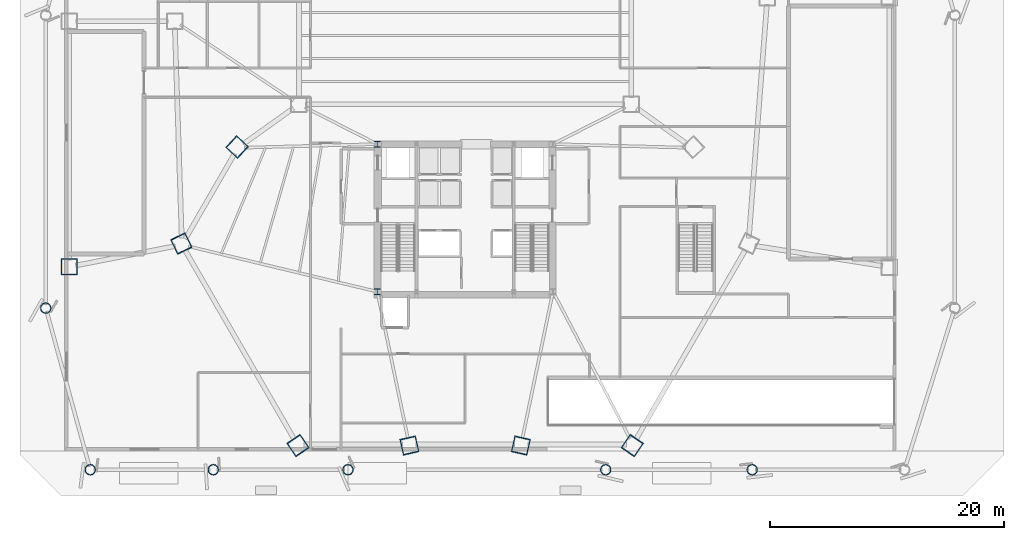
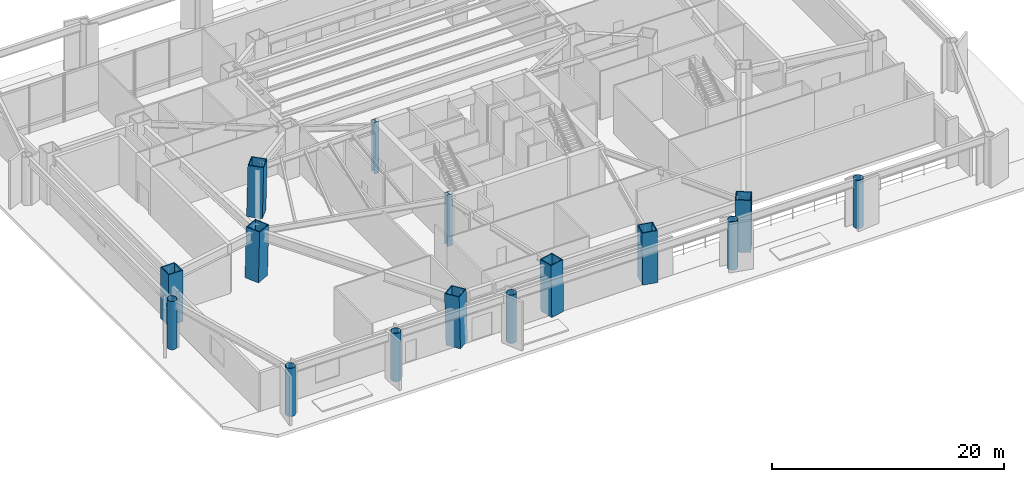
# One storey, part 1 of 19: 15 columns.
"""IFC4 building model written with IfcOpenShell, lengths in metres."""

from ifc_helpers import new_model, si_unit, direction, frame, origin, origin_2d, place, context, subcontext, project, spatial, hollow_rectangle, hollow_circle, i_section, extrude, source, transform, mapped, material, material_profile, profile_set, type_object, type_shapes, element, save


model = new_model("IFC4")

# Units and contexts
model_context = context("Model", 3, precision=1e-05, world=origin(), true_north=direction((0.0, 1.0)))
body_context = subcontext(model_context, "Body", "Model", "MODEL_VIEW")
ifc_project = project(units=[si_unit("LENGTHUNIT", "METRE"), si_unit("AREAUNIT", "SQUARE_METRE"), si_unit("VOLUMEUNIT", "CUBIC_METRE"), si_unit("PLANEANGLEUNIT", "RADIAN"), si_unit("MASSUNIT", "GRAM", prefix="KILO")], contexts=[model_context])

# Site, building, storey
site_placement = place(None, origin())
site = spatial("IfcSite", under=ifc_project, at=site_placement, CompositionType="ELEMENT")
building_placement = place(site_placement, origin())
building = spatial("IfcBuilding", under=site, at=building_placement, Name="Caelisora Broadcast Tower", CompositionType="ELEMENT")
storey_placement = place(building_placement, origin())
storey = spatial("IfcBuildingStorey", under=building, at=storey_placement, Name="L00", CompositionType="ELEMENT", Elevation=0.0)

# Columns
ifc_material_1 = material(Name="Steel Grade 350 (AS/NZS 3679.2)", Category="steel")
ifc_material_profile_1 = material_profile(ifc_material_1, i_section(OverallWidth=0.5, OverallDepth=0.5, WebThickness=0.028076171875, FlangeThickness=0.0400390625, at=origin_2d()), Name="Steel Grade 350 (AS/NZS 3679.2)")
ifc_profile_set_1 = profile_set([ifc_material_profile_1], Name="Steel Grade 350 (AS/NZS 3679.2)")
column_type_1 = type_object("IfcColumnType", Name="CC01", PredefinedType="COLUMN", material=ifc_profile_set_1)
shared_shape_1 = source(origin(), body_context, "Body", "SweptSolid", [
    extrude(i_section(OverallWidth=0.5, OverallDepth=0.5, WebThickness=0.028076171875, FlangeThickness=0.0400390625, at=origin_2d()), origin(), (0.0, 0.0, 1.0), 5.39990234375),
])
type_shapes(column_type_1, [shared_shape_1])
for number, where, z_axis, x_axis, name in (
    (1, (30.5, 17.39990234375, 0.0), (0.0, 0.0, 1.0), (1.0, 0.0, 0.0), "L00 column CC01"),
    (2, (30.5, 30.0, 0.0), (0.0, 0.0, 1.0), (1.0, 0.0, 0.0), "L00 column CC01"),
):
    element("IfcColumn", number, at=place(storey_placement, frame(where, z_axis=z_axis, x_axis=x_axis)), inside=storey, type_object=column_type_1, Name=name, PredefinedType="COLUMN", context=body_context, shape_type="MappedRepresentation", body=[
        mapped(shared_shape_1, transform((0.0, 0.0, 0.0), scale=1.0)),
    ])
ifc_material_2 = material(Name="Steel Grade 350 L15 (AS/NZS 3678)", Category="steel")
ifc_material_profile_2 = material_profile(ifc_material_2, hollow_rectangle(XDim=1.39990234375, YDim=1.39990234375, WallThickness=0.080078125, at=origin_2d()), Name="Steel Grade 350 L15 (AS/NZS 3678)")
ifc_profile_set_2 = profile_set([ifc_material_profile_2], Name="Steel Grade 350 L15 (AS/NZS 3678)")
column_type_2 = type_object("IfcColumnType", Name="MC01", PredefinedType="COLUMN", material=ifc_profile_set_2)
shared_shape_2 = source(origin(), body_context, "Body", "SweptSolid", [
    extrude(hollow_rectangle(XDim=1.39990234375, YDim=1.39990234375, WallThickness=0.080078125, at=origin_2d()), origin(), (0.0, 0.0, 1.0), 5.4013671875),
])
for number, where, z_axis, x_axis, name in (
    (3, (13.7685546875, 21.523193359375, 0.0), (0.010395791054, -0.021559966664, 0.999713506644), (0.900755489191, 0.434326546151, 0.0), "L00 column MC01"),
    (4, (23.7392578125, 4.25341796875, 0.0), (-0.013469326265, 0.019797197665, 0.999713283004), (-0.826786039216, -0.562516528964, 0.0), "L00 column MC01"),
    (5, (52.2607421875, 4.25341796875, 0.0), (0.013469326265, 0.019797197665, 0.999713283004), (-0.826786039216, 0.562516528964, 0.0), "L00 column MC01"),
):
    element("IfcColumn", number, at=place(storey_placement, frame(where, z_axis=z_axis, x_axis=x_axis)), inside=storey, type_object=column_type_2, Name=name, PredefinedType="COLUMN", context=body_context, shape_type="MappedRepresentation", body=[
        mapped(shared_shape_2, transform((0.0, 0.0, 0.0), scale=1.0)),
    ])
shared_shape_3 = source(origin(), body_context, "Body", "SweptSolid", [
    extrude(hollow_rectangle(XDim=1.39990234375, YDim=1.39990234375, WallThickness=0.080078125, at=origin_2d()), origin(), (0.0, 0.0, 1.0), 5.401123046875),
])
for number, where, z_axis, x_axis, name in (
    (6, (18.522216796875, 29.756591796875, 0.0), (0.014916896444, -0.013786828532, 0.999793683497), (0.678742109025, 0.734376708125, 0.0), "L00 column MC01"),
    (7, (33.246337890625, 4.25341796875, 0.0), (-0.004475070213, 0.01979879549, 0.999793969498), (-0.975394678041, -0.220465920379, 0.0), "L00 column MC01"),
    (8, (42.753662109375, 4.25341796875, 0.0), (0.004475070213, 0.01979879549, 0.999793969498), (-0.975394678041, 0.220465920379, 0.0), "L00 column MC01"),
):
    element("IfcColumn", number, at=place(storey_placement, frame(where, z_axis=z_axis, x_axis=x_axis)), inside=storey, type_object=column_type_2, Name=name, PredefinedType="COLUMN", context=body_context, shape_type="MappedRepresentation", body=[
        mapped(shared_shape_3, transform((0.0, 0.0, 0.0), scale=1.0)),
    ])
shared_shape_4 = source(origin(), body_context, "Body", "SweptSolid", [
    extrude(hollow_rectangle(XDim=1.39990234375, YDim=1.39990234375, WallThickness=0.080078125, at=origin_2d()), origin(), (0.0, 0.0, 1.0), 5.39990234375),
])
type_shapes(column_type_2, [shared_shape_2, shared_shape_3, shared_shape_4])
column_placement = place(storey_placement, frame((4.199951171875, 19.52587890625, 0.0), z_axis=(0.0, 0.0, 1.0), x_axis=(1.0, 0.0, 0.0)))
element("IfcColumn", 9, at=column_placement, inside=storey, type_object=column_type_2, Name="L00 column MC01", PredefinedType="COLUMN", context=body_context, shape_type="MappedRepresentation", body=[
    mapped(shared_shape_4, transform((0.0, 0.0, 0.0), scale=1.0)),
])
ifc_material_profile_3 = material_profile(ifc_material_2, hollow_circle(Radius=0.449951171875, WallThickness=0.0400390625, at=origin_2d()), Name="Steel Grade 350 L15 (AS/NZS 3678)")
ifc_profile_set_3 = profile_set([ifc_material_profile_3], Name="Steel Grade 350 L15 (AS/NZS 3678)")
column_type_3 = type_object("IfcColumnType", Name="PC02", PredefinedType="COLUMN", material=ifc_profile_set_3)
shared_shape_5 = source(origin(), body_context, "Body", "SweptSolid", [
    extrude(hollow_circle(Radius=0.449951171875, WallThickness=0.0400390625, at=origin_2d()), origin(), (0.0, 0.0, 1.0), 5.080078125),
])
type_shapes(column_type_3, [shared_shape_5])
for number, where, z_axis, x_axis, name in (
    (10, (6.0, 2.199951171875, 0.0), (0.0, 0.0, 1.0), (1.0, 0.0, 0.0), "L00 column PC02"),
    (11, (16.5, 2.199951171875, 0.0), (0.0, 0.0, 1.0), (1.0, 0.0, 0.0), "L00 column PC02"),
    (12, (28.0, 2.199951171875, 0.0), (0.0, 0.0, 1.0), (1.0, 0.0, 0.0), "L00 column PC02"),
    (13, (50.0, 2.199951171875, 0.0), (0.0, 0.0, 1.0), (1.0, 0.0, 0.0), "L00 column PC02"),
    (14, (62.5, 2.199951171875, 0.0), (0.0, 0.0, 1.0), (1.0, 0.0, 0.0), "L00 column PC02"),
    (15, (2.199951171875, 16.0, 0.0), (0.0, 0.0, 1.0), (1.0, 0.0, 0.0), "L00 column PC02"),
):
    element("IfcColumn", number, at=place(storey_placement, frame(where, z_axis=z_axis, x_axis=x_axis)), inside=storey, type_object=column_type_3, Name=name, PredefinedType="COLUMN", context=body_context, shape_type="MappedRepresentation", body=[
        mapped(shared_shape_5, transform((0.0, 0.0, 0.0), scale=1.0)),
    ])

save(model, "model.ifc")
